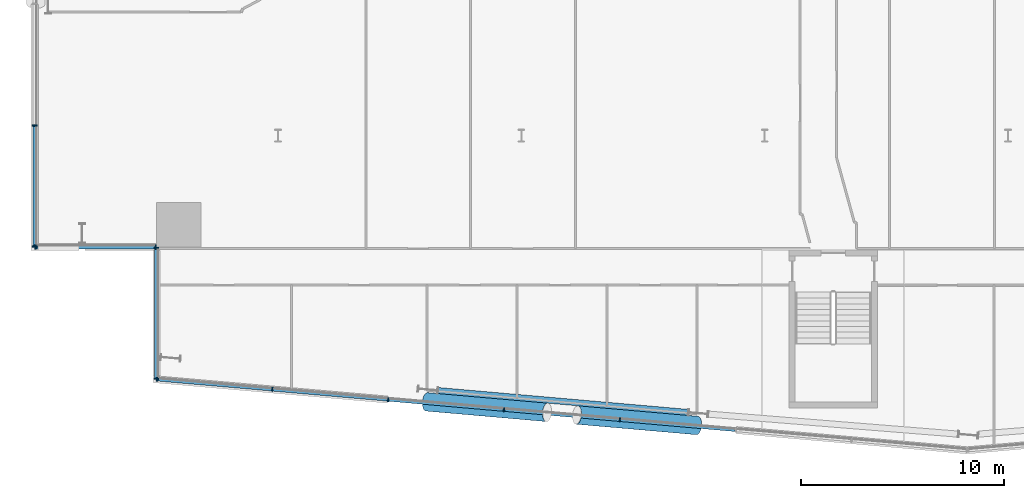
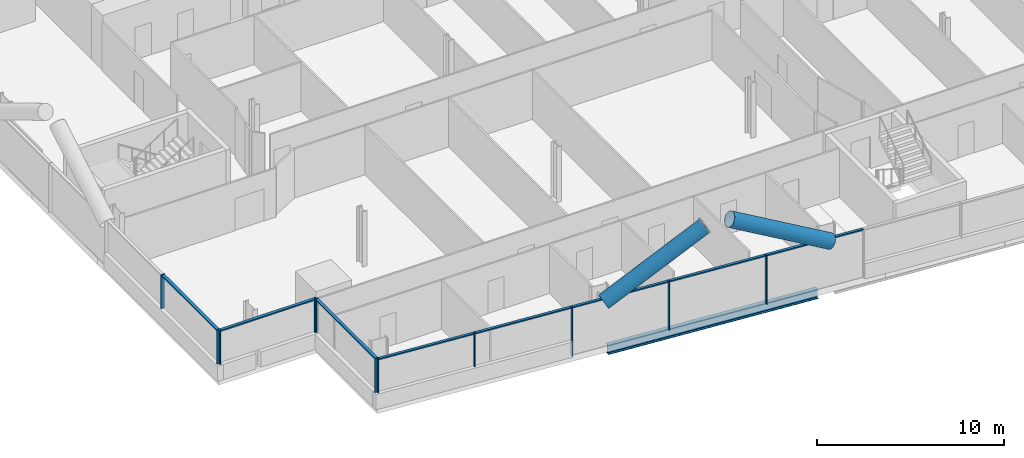
# One storey, part 4 of 28: 21 members, 1 beam, 4 elements without a shape of their own.
"""IFC4 building model written with IfcOpenShell, lengths in metres."""

from ifc_helpers import new_model, si_unit, direction, frame, origin, origin_2d, place, context, subcontext, project, spatial, rectangle, hollow_circle, i_section, extrude, material, material_profile, profile_set, type_object, element, aggregate, save


model = new_model("IFC4")

# Units and contexts
model_context = context("Model", 3, precision=1e-05, world=origin(), true_north=direction((0.0, 1.0)))
body_context = subcontext(model_context, "Body", "Model", "MODEL_VIEW")
ifc_project = project(units=[si_unit("LENGTHUNIT", "METRE"), si_unit("AREAUNIT", "SQUARE_METRE"), si_unit("VOLUMEUNIT", "CUBIC_METRE"), si_unit("PLANEANGLEUNIT", "RADIAN"), si_unit("MASSUNIT", "GRAM", prefix="KILO")], contexts=[model_context])

# Site, building, storey
site_placement = place(None, origin())
site = spatial("IfcSite", under=ifc_project, at=site_placement, CompositionType="ELEMENT")
building_placement = place(site_placement, origin())
building = spatial("IfcBuilding", under=site, at=building_placement, Name="Wharfspan Tower", CompositionType="ELEMENT")
storey_placement = place(building_placement, frame((0.0, 0.0, 59.5)))
storey = spatial("IfcBuildingStorey", under=building, at=storey_placement, Name="L11", CompositionType="ELEMENT", Elevation=59.5)

# Beam
ifc_material_1 = material(Name="Steel S355J2", Category="steel")
ifc_material_profile_1 = material_profile(ifc_material_1, i_section(OverallWidth=0.300049, OverallDepth=0.600098, WebThickness=0.015381, FlangeThickness=0.030029, FilletRadius=0.0271, at=origin_2d()))
ifc_profile_set_1 = profile_set([ifc_material_profile_1], Name="Steel S355J2")
beam_type = type_object("IfcBeamType", Name="Edge beam HEB 600", PredefinedType="SPANDREL", material=ifc_profile_set_1)
beam_placement = place(storey_placement, frame((19.888916, -1.077637, -0.699951), z_axis=(0.996195, -0.087154, 0.0), x_axis=(0.087154, 0.996195, 0.0)))
element("IfcBeam", 1, at=beam_placement, inside=storey, type_object=beam_type, Name="Edge beam S1 L11 PS1.2 to PS1.3", PredefinedType="SPANDREL", context=body_context, shape_type="SweptSolid", body=[
    extrude(i_section(OverallWidth=0.300049, OverallDepth=0.600098, WebThickness=0.015381, FlangeThickness=0.030029, FilletRadius=0.0271, at=origin_2d()), origin(), (0.0, 0.0, 1.0), 12.384277),
])

# Curtain wall, members
ifc_material_2 = material(Name="Aluminium 6063-T6", Category="aluminium")
curtain_wall_type_1 = type_object("IfcCurtainWallType", Name="CURTAIN WALL FACETED FRONT", PredefinedType="NOTDEFINED", material=ifc_material_2)
curtain_wall_1_placement = place(storey_placement, origin())
curtain_wall_1 = element("IfcCurtainWall", 2, at=curtain_wall_1_placement, inside=storey, type_object=curtain_wall_type_1, Name="Curtain wall S1", PredefinedType="NOTDEFINED")
ifc_material_profile_2 = material_profile(ifc_material_2, rectangle(XDim=0.199951, YDim=0.060059, at=origin_2d()))
ifc_profile_set_2 = profile_set([ifc_material_profile_2], Name="Aluminium 6063-T6")
member_type_1 = type_object("IfcMemberType", Name="MULLION FACETED FRONT 60x200", PredefinedType="MULLION", material=ifc_profile_set_2)
member_1_placement = place(storey_placement, frame((6.029785, -0.527588, 1.0), z_axis=(0.0, 0.0, 1.0), x_axis=(0.087156, 0.996197, 0.0)))
member_1 = element("IfcMember", 3, at=member_1_placement, type_object=member_type_1, Name="Curtain wall S1 mullion 1", PredefinedType="MULLION", context=body_context, shape_type="SweptSolid", body=[
    extrude(rectangle(XDim=0.199951, YDim=0.060059, at=origin_2d()), origin(), (0.0, 0.0, 1.0), 2.199951),
])
member_2_placement = place(storey_placement, frame((11.714355, -1.024902, 1.0), z_axis=(0.0, 0.0, 1.0), x_axis=(0.087156, 0.996197, 0.0)))
member_2 = element("IfcMember", 4, at=member_2_placement, type_object=member_type_1, Name="Curtain wall S1 mullion 2", PredefinedType="MULLION", context=body_context, shape_type="SweptSolid", body=[
    extrude(rectangle(XDim=0.199951, YDim=0.060059, at=origin_2d()), origin(), (0.0, 0.0, 1.0), 2.199951),
])
member_3_placement = place(storey_placement, frame((17.428467, -1.524902, 0.0), z_axis=(0.0, 0.0, 1.0), x_axis=(0.087156, 0.996197, 0.0)))
member_3 = element("IfcMember", 5, at=member_3_placement, type_object=member_type_1, Name="Curtain wall S1 mullion 3", PredefinedType="MULLION", context=body_context, shape_type="SweptSolid", body=[
    extrude(rectangle(XDim=0.199951, YDim=0.060059, at=origin_2d()), origin(), (0.0, 0.0, 1.0), 3.199951),
])
member_4_placement = place(storey_placement, frame((23.142822, -2.024658, 0.0), z_axis=(0.0, 0.0, 1.0), x_axis=(0.087156, 0.996197, 0.0)))
member_4 = element("IfcMember", 6, at=member_4_placement, type_object=member_type_1, Name="Curtain wall S1 mullion 4", PredefinedType="MULLION", context=body_context, shape_type="SweptSolid", body=[
    extrude(rectangle(XDim=0.199951, YDim=0.060059, at=origin_2d()), origin(), (0.0, 0.0, 1.0), 3.199951),
])
member_5_placement = place(storey_placement, frame((28.857178, -2.524658, 0.0), z_axis=(0.0, 0.0, 1.0), x_axis=(0.087156, 0.996197, 0.0)))
member_5 = element("IfcMember", 7, at=member_5_placement, type_object=member_type_1, Name="Curtain wall S1 mullion 5", PredefinedType="MULLION", context=body_context, shape_type="SweptSolid", body=[
    extrude(rectangle(XDim=0.199951, YDim=0.060059, at=origin_2d()), origin(), (0.0, 0.0, 1.0), 3.199951),
])

curtain_wall_type_2 = type_object("IfcCurtainWallType", Name="CURTAIN WALL PROW AND END", PredefinedType="NOTDEFINED", material=ifc_material_2)
curtain_wall_2_placement = place(storey_placement, origin())
curtain_wall_2 = element("IfcCurtainWall", 8, at=curtain_wall_2_placement, inside=storey, type_object=curtain_wall_type_2, Name="Curtain wall W", PredefinedType="NOTDEFINED")
ifc_material_profile_3 = material_profile(ifc_material_2, rectangle(XDim=0.23999, YDim=0.060059, at=origin_2d()))
ifc_profile_set_3 = profile_set([ifc_material_profile_3], Name="Aluminium 6063-T6")
member_type_2 = type_object("IfcMemberType", Name="MULLION PROW AND END 60x240", PredefinedType="MULLION", material=ifc_profile_set_3)
member_6_placement = place(storey_placement, frame((0.0, 12.0, 1.0), z_axis=(0.0, 0.0, 1.0), x_axis=(1.0, 0.0, 0.0)))
member_6 = element("IfcMember", 9, at=member_6_placement, type_object=member_type_2, Name="Curtain wall W mullion 6", PredefinedType="MULLION", context=body_context, shape_type="SweptSolid", body=[
    extrude(rectangle(XDim=0.23999, YDim=0.060059, at=origin_2d()), origin(), (0.0, 0.0, 1.0), 2.199951),
])
member_7_placement = place(storey_placement, frame((0.0, 6.030029, 1.0), z_axis=(0.0, 0.0, 1.0), x_axis=(1.0, 0.0, 0.0)))
member_7 = element("IfcMember", 10, at=member_7_placement, type_object=member_type_2, Name="Curtain wall W mullion 7", PredefinedType="MULLION", context=body_context, shape_type="SweptSolid", body=[
    extrude(rectangle(XDim=0.23999, YDim=0.060059, at=origin_2d()), origin(), (0.0, 0.0, 1.0), 2.199951),
])

curtain_wall_3_placement = place(storey_placement, origin())
curtain_wall_3 = element("IfcCurtainWall", 11, at=curtain_wall_3_placement, inside=storey, type_object=curtain_wall_type_2, Name="Curtain wall NFW-H", PredefinedType="NOTDEFINED")
member_8_placement = place(storey_placement, frame((0.030029, 6.0, 1.0), z_axis=(0.0, 0.0, 1.0), x_axis=(0.0, 1.0, 0.0)))
member_8 = element("IfcMember", 12, at=member_8_placement, type_object=member_type_2, Name="Curtain wall NFW-H mullion 1", PredefinedType="MULLION", context=body_context, shape_type="SweptSolid", body=[
    extrude(rectangle(XDim=0.23999, YDim=0.060059, at=origin_2d()), origin(), (0.0, 0.0, 1.0), 2.199951),
])
member_9_placement = place(storey_placement, frame((5.969971, 6.0, 1.0), z_axis=(0.0, 0.0, 1.0), x_axis=(0.0, 1.0, 0.0)))
member_9 = element("IfcMember", 13, at=member_9_placement, type_object=member_type_2, Name="Curtain wall NFW-H mullion 2", PredefinedType="MULLION", context=body_context, shape_type="SweptSolid", body=[
    extrude(rectangle(XDim=0.23999, YDim=0.060059, at=origin_2d()), origin(), (0.0, 0.0, 1.0), 2.199951),
])

curtain_wall_4_placement = place(storey_placement, origin())
curtain_wall_4 = element("IfcCurtainWall", 14, at=curtain_wall_4_placement, inside=storey, type_object=curtain_wall_type_2, Name="Curtain wall NFW-V", PredefinedType="NOTDEFINED")
member_10_placement = place(storey_placement, frame((6.0, 5.969971, 1.0), z_axis=(0.0, 0.0, 1.0), x_axis=(1.0, 0.0, 0.0)))
member_10 = element("IfcMember", 15, at=member_10_placement, type_object=member_type_2, Name="Curtain wall NFW-V mullion 1", PredefinedType="MULLION", context=body_context, shape_type="SweptSolid", body=[
    extrude(rectangle(XDim=0.23999, YDim=0.060059, at=origin_2d()), origin(), (0.0, 0.0, 1.0), 2.199951),
])
member_11_placement = place(storey_placement, frame((6.0, -0.494873, 1.0), z_axis=(0.0, 0.0, 1.0), x_axis=(1.0, 0.0, 0.0)))
member_11 = element("IfcMember", 16, at=member_11_placement, type_object=member_type_2, Name="Curtain wall NFW-V mullion 2", PredefinedType="MULLION", context=body_context, shape_type="SweptSolid", body=[
    extrude(rectangle(XDim=0.23999, YDim=0.060059, at=origin_2d()), origin(), (0.0, 0.0, 1.0), 2.199951),
])

# Members
ifc_material_3 = material(Name="Steel S460NH", Category="steel")
ifc_material_profile_4 = material_profile(ifc_material_3, hollow_circle(Radius=0.457031, WallThickness=0.040039, at=origin_2d()))
ifc_profile_set_4 = profile_set([ifc_material_profile_4], Name="Steel S460NH")
member_type_3 = type_object("IfcMemberType", Name="Mega brace CHS 914x40", PredefinedType="BRACE", material=ifc_profile_set_4)
for number, where, z_axis, x_axis, name in (
    (17, (19.338135, -1.636719, 2.899902), (0.877299, -0.076744, 0.473768), (0.087145, 0.996198, 0.0), "Mega brace S1 L12 part 1"),
    (18, (32.671387, -2.803223, 2.899902), (-0.877299, 0.076744, 0.473768), (-0.087145, -0.996198, 0.0), "Mega brace S1 L12 part 3"),
):
    element("IfcMember", number, at=place(storey_placement, frame(where, z_axis=z_axis, x_axis=x_axis)), inside=storey, type_object=member_type_3, Name=name, PredefinedType="BRACE", context=body_context, shape_type="SweptSolid", body=[
        extrude(hollow_circle(Radius=0.457031, WallThickness=0.040039, at=origin_2d()), origin(), (0.0, 0.0, 1.0), 6.753662),
    ])

# Member
ifc_material_profile_5 = material_profile(ifc_material_2, rectangle(XDim=0.159912, YDim=0.080078, at=origin_2d()))
ifc_profile_set_5 = profile_set([ifc_material_profile_5], Name="Aluminium 6063-T6")
member_type_4 = type_object("IfcMemberType", Name="TRANSOM FACETED FRONT 80x160", PredefinedType="USERDEFINED", material=ifc_profile_set_5)
member_12_placement = place(storey_placement, frame((6.059814, -0.530273, 3.159912), z_axis=(0.996197, -0.087132, 0.0), x_axis=(0.087132, 0.996197, 0.0)))
member_12 = element("IfcMember", 19, at=member_12_placement, type_object=member_type_4, Name="Curtain wall S1 transom 1", ObjectType="TRANSOM", PredefinedType="USERDEFINED", context=body_context, shape_type="SweptSolid", body=[
    extrude(rectangle(XDim=0.159912, YDim=0.080078, at=origin_2d()), origin(), (0.0, 0.0, 1.0), 5.645996),
])

member_13_placement = place(storey_placement, frame((11.744141, -1.027588, 3.159912), z_axis=(0.996196, -0.087142, 0.0), x_axis=(0.087142, 0.996196, 0.0)))
member_13 = element("IfcMember", 20, at=member_13_placement, type_object=member_type_4, Name="Curtain wall S1 transom 2", ObjectType="TRANSOM", PredefinedType="USERDEFINED", context=body_context, shape_type="SweptSolid", body=[
    extrude(rectangle(XDim=0.159912, YDim=0.080078, at=origin_2d()), origin(), (0.0, 0.0, 1.0), 5.676025),
])

member_14_placement = place(storey_placement, frame((17.458496, -1.527344, 3.159912), z_axis=(0.996192, -0.087185, 0.0), x_axis=(0.087185, 0.996192, 0.0)))
member_14 = element("IfcMember", 21, at=member_14_placement, type_object=member_type_4, Name="Curtain wall S1 transom 3", ObjectType="TRANSOM", PredefinedType="USERDEFINED", context=body_context, shape_type="SweptSolid", body=[
    extrude(rectangle(XDim=0.159912, YDim=0.080078, at=origin_2d()), origin(), (0.0, 0.0, 1.0), 5.67627),
])

member_15_placement = place(storey_placement, frame((23.172852, -2.027344, 3.159912), z_axis=(0.996196, -0.087146, 0.0), x_axis=(0.087146, 0.996196, 0.0)))
member_15 = element("IfcMember", 22, at=member_15_placement, type_object=member_type_4, Name="Curtain wall S1 transom 4", ObjectType="TRANSOM", PredefinedType="USERDEFINED", context=body_context, shape_type="SweptSolid", body=[
    extrude(rectangle(XDim=0.159912, YDim=0.080078, at=origin_2d()), origin(), (0.0, 0.0, 1.0), 5.675781),
])

member_16_placement = place(storey_placement, frame((28.886963, -2.527344, 3.159912), z_axis=(0.996196, -0.087142, 0.0), x_axis=(0.087142, 0.996196, 0.0)))
member_16 = element("IfcMember", 23, at=member_16_placement, type_object=member_type_4, Name="Curtain wall S1 transom 5", ObjectType="TRANSOM", PredefinedType="USERDEFINED", context=body_context, shape_type="SweptSolid", body=[
    extrude(rectangle(XDim=0.159912, YDim=0.080078, at=origin_2d()), origin(), (0.0, 0.0, 1.0), 5.676025),
])

aggregate(curtain_wall_1, [member_1, member_2, member_3, member_4, member_5, member_12, member_13, member_14, member_15, member_16])

ifc_material_profile_6 = material_profile(ifc_material_2, rectangle(XDim=0.179932, YDim=0.080078, at=origin_2d()))
ifc_profile_set_6 = profile_set([ifc_material_profile_6], Name="Aluminium 6063-T6")
member_type_5 = type_object("IfcMemberType", Name="TRANSOM PROW AND END 80x180", PredefinedType="USERDEFINED", material=ifc_profile_set_6)
member_17_placement = place(storey_placement, frame((0.0, 11.969971, 3.159912), z_axis=(0.0, -1.0, 0.0), x_axis=(1.0, 0.0, 0.0)))
member_17 = element("IfcMember", 24, at=member_17_placement, type_object=member_type_5, Name="Curtain wall W transom 6", ObjectType="TRANSOM", PredefinedType="USERDEFINED", context=body_context, shape_type="SweptSolid", body=[
    extrude(rectangle(XDim=0.179932, YDim=0.080078, at=origin_2d()), origin(), (0.0, 0.0, 1.0), 5.909912),
])

aggregate(curtain_wall_2, [member_6, member_7, member_17])

member_18_placement = place(storey_placement, frame((0.060059, 6.0, 3.159912), z_axis=(1.0, 0.0, 0.0), x_axis=(0.0, 1.0, 0.0)))
member_18 = element("IfcMember", 25, at=member_18_placement, type_object=member_type_5, Name="Curtain wall NFW-H transom 1", ObjectType="TRANSOM", PredefinedType="USERDEFINED", context=body_context, shape_type="SweptSolid", body=[
    extrude(rectangle(XDim=0.179932, YDim=0.080078, at=origin_2d()), origin(), (0.0, 0.0, 1.0), 5.879883),
])

aggregate(curtain_wall_3, [member_8, member_9, member_18])

member_19_placement = place(storey_placement, frame((6.0, 5.939941, 3.159912), z_axis=(0.0, -1.0, 0.0), x_axis=(1.0, 0.0, 0.0)))
member_19 = element("IfcMember", 26, at=member_19_placement, type_object=member_type_5, Name="Curtain wall NFW-V transom 1", ObjectType="TRANSOM", PredefinedType="USERDEFINED", context=body_context, shape_type="SweptSolid", body=[
    extrude(rectangle(XDim=0.179932, YDim=0.080078, at=origin_2d()), origin(), (0.0, 0.0, 1.0), 6.404785),
])

aggregate(curtain_wall_4, [member_10, member_11, member_19])

save(model, "model.ifc")
